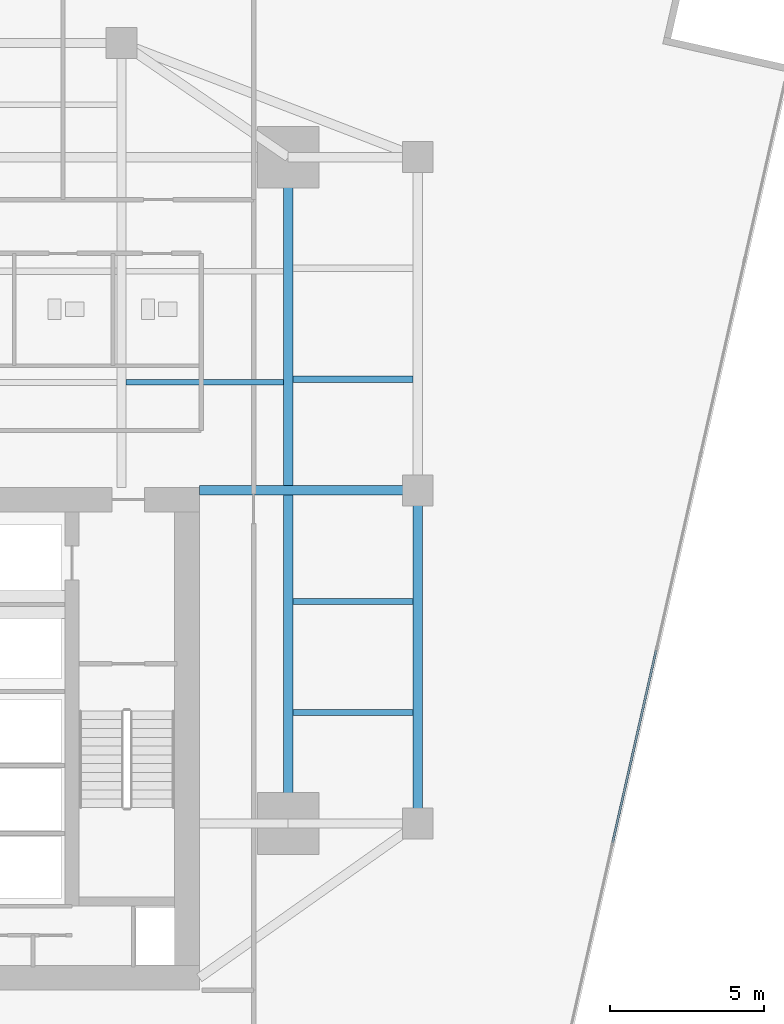
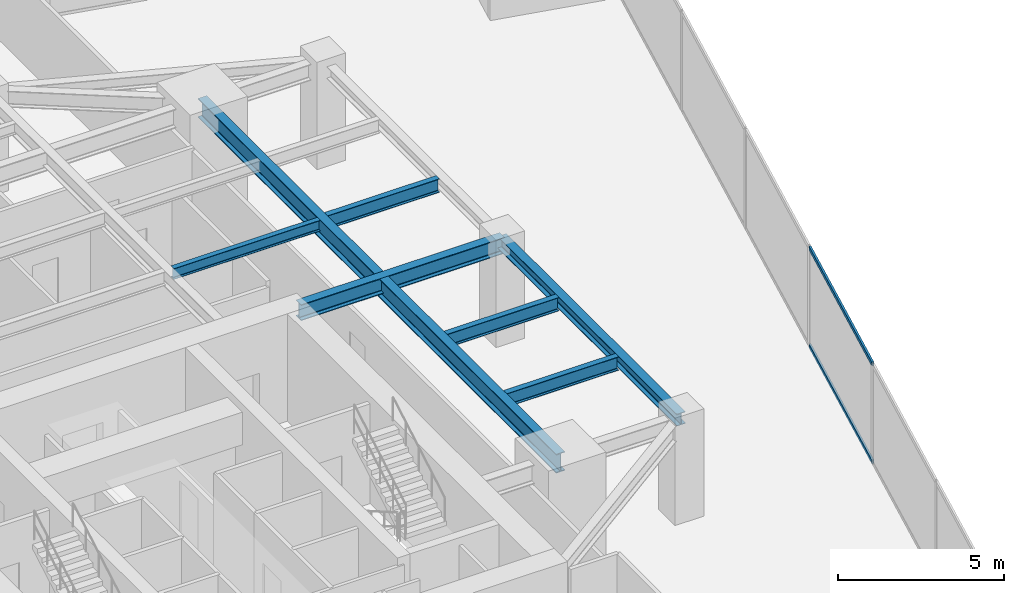
# One storey, part 12 of 26: 7 beams, 2 members, 1 element without a shape of its own.
"""IFC4 building model written with IfcOpenShell, lengths in metres."""

from ifc_helpers import new_model, si_unit, direction, frame, origin, origin_2d, place, context, subcontext, project, spatial, hollow_rectangle, i_section, extrude, source, transform, mapped, material, material_profile, profile_set, type_object, type_shapes, element, aggregate, save


model = new_model("IFC4")

# Units and contexts
model_context = context("Model", 3, precision=1e-05, world=origin(), true_north=direction((0.0, 1.0)))
body_context = subcontext(model_context, "Body", "Model", "MODEL_VIEW")
ifc_project = project(units=[si_unit("LENGTHUNIT", "METRE"), si_unit("AREAUNIT", "SQUARE_METRE"), si_unit("VOLUMEUNIT", "CUBIC_METRE"), si_unit("PLANEANGLEUNIT", "RADIAN"), si_unit("MASSUNIT", "GRAM", prefix="KILO")], contexts=[model_context])

# Site, building, storey
site_placement = place(None, origin())
site = spatial("IfcSite", under=ifc_project, at=site_placement, CompositionType="ELEMENT")
building_placement = place(site_placement, origin())
building = spatial("IfcBuilding", under=site, at=building_placement, Name="Krantzveldt Concourse Tower", CompositionType="ELEMENT")
storey_placement = place(building_placement, frame((0.0, 0.0, 90.050048828125)))
storey = spatial("IfcBuildingStorey", under=building, at=storey_placement, Name="L21", CompositionType="ELEMENT", Elevation=90.050048828125)

# Beams
ifc_material_1 = material(Name="Steel S355J2", Category="steel")
ifc_material_profile_1 = material_profile(ifc_material_1, i_section(OverallWidth=0.300048828125, OverallDepth=0.699951171875, WebThickness=0.01708984375, FlangeThickness=0.031982421875, FilletRadius=0.027099609375, at=origin_2d()), Name="Steel S355J2", Category="steel")
ifc_profile_set_1 = profile_set([ifc_material_profile_1], Name="Steel S355J2 - HEB 700")
beam_type_1 = type_object("IfcBeamType", Name="BM-B-HEB700", PredefinedType="BEAM", material=ifc_profile_set_1)
shared_shape_1 = source(origin(), body_context, "Body", "SweptSolid", [
    extrude(i_section(OverallWidth=0.300048828125, OverallDepth=0.699951171875, WebThickness=0.01708984375, FlangeThickness=0.031982421875, FilletRadius=0.027099609375, at=origin_2d()), origin(), (0.0, 0.0, 1.0), 21.60009765625),
])
type_shapes(beam_type_1, [shared_shape_1])
beam_1_placement = place(storey_placement, frame((46.800048828125, 15.89990234375, 3.320068359375), z_axis=(0.0, 1.0, 0.0), x_axis=(-1.0, 0.0, 0.0)))
element("IfcBeam", 1, at=beam_1_placement, inside=storey, type_object=beam_type_1, Name="L21 Tower Girder BG-ME", PredefinedType="BEAM", context=body_context, shape_type="MappedRepresentation", body=[
    mapped(shared_shape_1, transform((0.0, 0.0, 0.0), x_axis=(1.0, 0.0, 0.0), y_axis=(0.0, 1.0, 0.0), z_axis=(0.0, 0.0, 1.0), scale=1.0)),
])
ifc_material_2 = material(Name="Steel S355JR", Category="steel")
ifc_material_profile_2 = material_profile(ifc_material_2, i_section(OverallWidth=0.300048828125, OverallDepth=0.590087890625, WebThickness=0.012939453125, FlangeThickness=0.02490234375, FilletRadius=0.027099609375, at=origin_2d()), Name="Steel S355JR", Category="steel")
ifc_profile_set_2 = profile_set([ifc_material_profile_2], Name="Steel S355JR - HEA 600")
beam_type_2 = type_object("IfcBeamType", Name="BM-B-HEA600", PredefinedType="BEAM", material=ifc_profile_set_2)
shared_shape_2 = source(origin(), body_context, "Body", "SweptSolid", [
    extrude(i_section(OverallWidth=0.300048828125, OverallDepth=0.590087890625, WebThickness=0.012939453125, FlangeThickness=0.02490234375, FilletRadius=0.027099609375, at=origin_2d()), origin(), (0.0, 0.0, 1.0), 7.080078125),
])
type_shapes(beam_type_2, [shared_shape_2])
beam_2_placement = place(storey_placement, frame((43.919921875, 26.699951171875, 3.375), z_axis=(1.0, 0.0, 0.0), x_axis=(0.0, 1.0, 0.0)))
element("IfcBeam", 2, at=beam_2_placement, inside=storey, type_object=beam_type_2, Name="L21 Tower Girder BG-CE2", PredefinedType="BEAM", context=body_context, shape_type="MappedRepresentation", body=[
    mapped(shared_shape_2, transform((0.0, 0.0, 0.0), x_axis=(1.0, 0.0, 0.0), y_axis=(0.0, 1.0, 0.0), z_axis=(0.0, 0.0, 1.0), scale=1.0)),
])
ifc_material_profile_3 = material_profile(ifc_material_2, i_section(OverallWidth=0.300048828125, OverallDepth=0.43994140625, WebThickness=0.011474609375, FlangeThickness=0.02099609375, FilletRadius=0.027099609375, at=origin_2d()), Name="Steel S355JR", Category="steel")
ifc_profile_set_3 = profile_set([ifc_material_profile_3], Name="Steel S355JR - HEA 450")
beam_type_3 = type_object("IfcBeamType", Name="BM-SP-HEA450", PredefinedType="SPANDREL", material=ifc_profile_set_3)
shared_shape_3 = source(origin(), body_context, "Body", "SweptSolid", [
    extrude(i_section(OverallWidth=0.300048828125, OverallDepth=0.43994140625, WebThickness=0.011474609375, FlangeThickness=0.02099609375, FilletRadius=0.027099609375, at=origin_2d()), origin(), (0.0, 0.0, 1.0), 10.800048828125),
])
type_shapes(beam_type_3, [shared_shape_3])
beam_3_placement = place(storey_placement, frame((51.0, 26.699951171875, 3.449951171875), z_axis=(0.0, -1.0, 0.0), x_axis=(1.0, 0.0, 0.0)))
element("IfcBeam", 3, at=beam_3_placement, inside=storey, type_object=beam_type_3, Name="L21 Tower Girder SP-R07", PredefinedType="SPANDREL", context=body_context, shape_type="MappedRepresentation", body=[
    mapped(shared_shape_3, transform((0.0, 0.0, 0.0), x_axis=(1.0, 0.0, 0.0), y_axis=(0.0, 1.0, 0.0), z_axis=(0.0, 0.0, 1.0), scale=1.0)),
])
ifc_material_profile_4 = material_profile(ifc_material_2, i_section(OverallWidth=0.179931640625, OverallDepth=0.39990234375, WebThickness=0.008544921875, FlangeThickness=0.013427734375, FilletRadius=0.02099609375, at=origin_2d()), Name="Steel S355JR", Category="steel")
ifc_profile_set_4 = profile_set([ifc_material_profile_4], Name="Steel S355JR - IPE 400")
beam_type_4 = type_object("IfcBeamType", Name="BM-J-IPE400", PredefinedType="JOIST", material=ifc_profile_set_4)
shared_shape_4 = source(origin(), body_context, "Body", "SweptSolid", [
    extrude(i_section(OverallWidth=0.179931640625, OverallDepth=0.39990234375, WebThickness=0.008544921875, FlangeThickness=0.013427734375, FilletRadius=0.02099609375, at=origin_2d()), origin(), (0.0, 0.0, 1.0), 5.099853515625),
])
type_shapes(beam_type_4, [shared_shape_4])
beam_4_placement = place(storey_placement, frame((41.550048828125, 30.199951171875, 3.469970703125), z_axis=(1.0, 0.0, 0.0), x_axis=(0.0, 1.0, 0.0)))
element("IfcBeam", 4, at=beam_4_placement, inside=storey, type_object=beam_type_4, Name="L21 Secondary Floor Joist JN-E1", PredefinedType="JOIST", context=body_context, shape_type="MappedRepresentation", body=[
    mapped(shared_shape_4, transform((0.0, 0.0, 0.0), x_axis=(1.0, 0.0, 0.0), y_axis=(0.0, 1.0, 0.0), z_axis=(0.0, 0.0, 1.0), scale=1.0)),
])
ifc_material_profile_5 = material_profile(ifc_material_2, i_section(OverallWidth=0.199951171875, OverallDepth=0.5, WebThickness=0.01025390625, FlangeThickness=0.01611328125, FilletRadius=0.02099609375, at=origin_2d()), Name="Steel S355JR", Category="steel")
ifc_profile_set_5 = profile_set([ifc_material_profile_5], Name="Steel S355JR - IPE 500")
beam_type_5 = type_object("IfcBeamType", Name="BM-J-IPE500", PredefinedType="JOIST", material=ifc_profile_set_5)
shared_shape_5 = source(origin(), body_context, "Body", "SweptSolid", [
    extrude(i_section(OverallWidth=0.199951171875, OverallDepth=0.5, WebThickness=0.01025390625, FlangeThickness=0.01611328125, FilletRadius=0.02099609375, at=origin_2d()), origin(), (0.0, 0.0, 1.0), 3.900146484375),
])
type_shapes(beam_type_5, [shared_shape_5])
for number, where, z_axis, x_axis, name in (
    (5, (46.949951171875, 19.5, 3.419921875), (1.0, 0.0, 0.0), (0.0, 1.0, 0.0), "L21 Secondary Floor Joist JE-1"),
    (6, (46.949951171875, 23.10009765625, 3.419921875), (1.0, 0.0, 0.0), (0.0, 1.0, 0.0), "L21 Secondary Floor Joist JE-2"),
    (7, (46.949951171875, 30.300048828125, 3.419921875), (1.0, 0.0, 0.0), (0.0, 1.0, 0.0), "L21 Secondary Floor Joist JE-3"),
):
    element("IfcBeam", number, at=place(storey_placement, frame(where, z_axis=z_axis, x_axis=x_axis)), inside=storey, type_object=beam_type_5, Name=name, PredefinedType="JOIST", context=body_context, shape_type="MappedRepresentation", body=[
        mapped(shared_shape_5, transform((0.0, 0.0, 0.0), x_axis=(1.0, 0.0, 0.0), y_axis=(0.0, 1.0, 0.0), z_axis=(0.0, 0.0, 1.0), scale=1.0)),
    ])

# Curtain wall, members
ifc_material_3 = material(Name="Anodised aluminium 6063-T6", Category="aluminium")
curtain_wall_type = type_object("IfcCurtainWallType", Name="CW2", PredefinedType="USERDEFINED", material=ifc_material_3)
curtain_wall_placement = place(storey_placement, origin())
curtain_wall = element("IfcCurtainWall", 8, at=curtain_wall_placement, inside=storey, type_object=curtain_wall_type, Name="CW-L21-F07", ObjectType="UNITISED CURTAIN WALL", PredefinedType="USERDEFINED")
ifc_material_profile_6 = material_profile(ifc_material_3, hollow_rectangle(XDim=0.070068359375, YDim=0.139892578125, WallThickness=0.0048828125, at=origin_2d()), Name="Anodised aluminium 6063-T6", Category="aluminium")
ifc_profile_set_6 = profile_set([ifc_material_profile_6], Name="Anodised aluminium 6063-T6 - ALU-TRAN 140x70x5")
member_type = type_object("IfcMemberType", Name="CW-TRN-150", PredefinedType="USERDEFINED", material=ifc_profile_set_6)
shared_shape_6 = source(origin(), body_context, "Body", "SweptSolid", [
    extrude(hollow_rectangle(XDim=0.070068359375, YDim=0.139892578125, WallThickness=0.0048828125, at=origin_2d()), origin(), (0.0, 0.0, 1.0), 6.396728515625),
])
type_shapes(member_type, [shared_shape_6])
member_1_placement = place(storey_placement, frame((57.315673828125, 15.282470703125, 0.034912109375), z_axis=(0.220715365874, 0.975338262998, 0.0), x_axis=(-0.975338262998, 0.220715365874, 0.0)))
member_1 = element("IfcMember", 9, at=member_1_placement, type_object=member_type, Name="CW-Z12 transom 3.1", ObjectType="TRANSOM", PredefinedType="USERDEFINED", context=body_context, shape_type="MappedRepresentation", body=[
    mapped(shared_shape_6, transform((0.0, 0.0, 0.0), x_axis=(1.0, 0.0, 0.0), y_axis=(0.0, 1.0, 0.0), z_axis=(0.0, 0.0, 1.0), scale=1.0)),
])
member_2_placement = place(storey_placement, frame((57.315673828125, 15.282470703125, 3.635009765625), z_axis=(0.220715365874, 0.975338262998, 0.0), x_axis=(-0.975338262998, 0.220715365874, 0.0)))
member_2 = element("IfcMember", 10, at=member_2_placement, type_object=member_type, Name="CW-Z12 transom 3.2", ObjectType="TRANSOM", PredefinedType="USERDEFINED", context=body_context, shape_type="MappedRepresentation", body=[
    mapped(shared_shape_6, transform((0.0, 0.0, 0.0), x_axis=(1.0, 0.0, 0.0), y_axis=(0.0, 1.0, 0.0), z_axis=(0.0, 0.0, 1.0), scale=1.0)),
])
aggregate(curtain_wall, [member_1, member_2])

save(model, "model.ifc")
